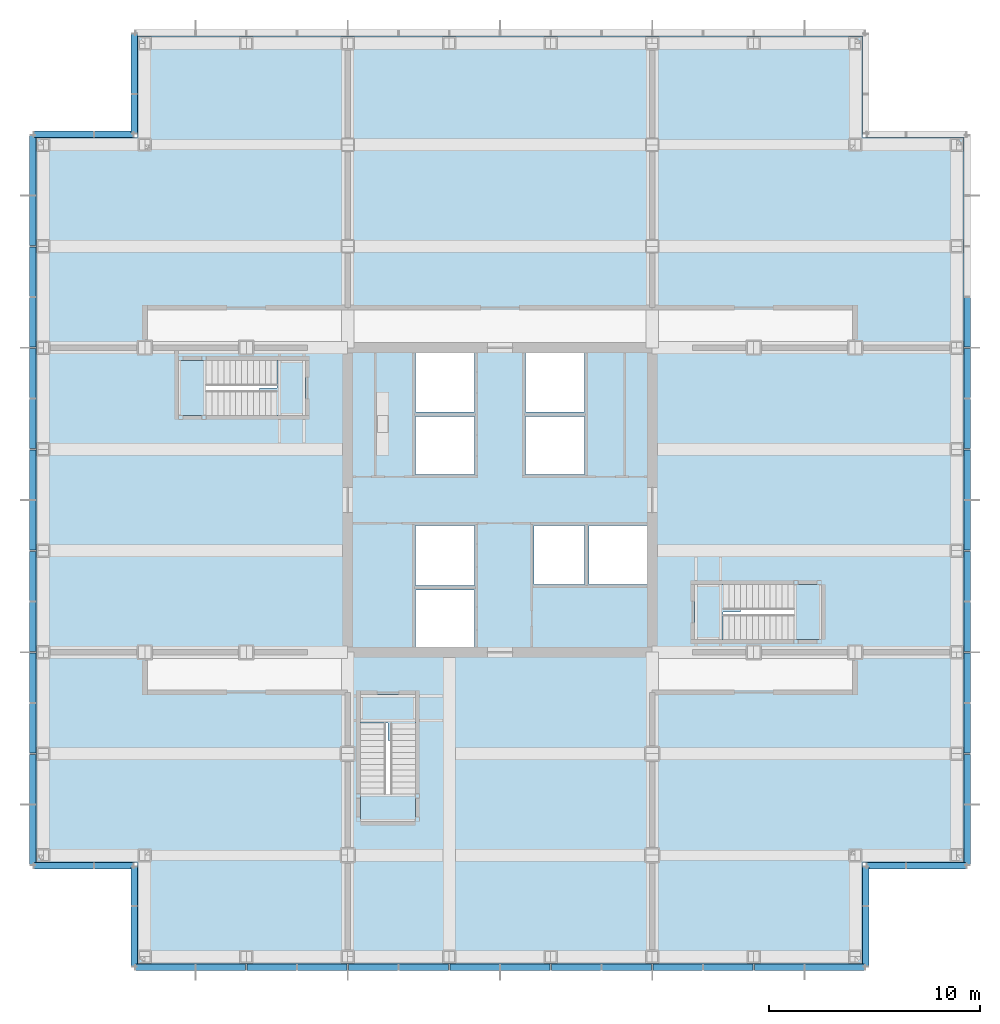
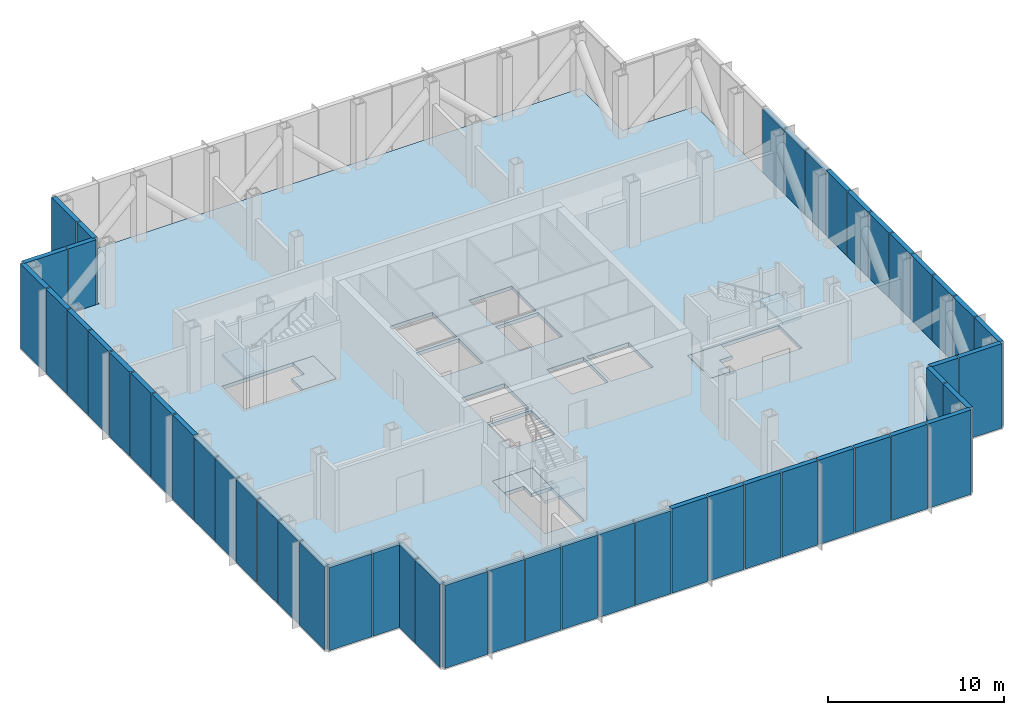
# One storey, part 12 of 18: 51 plates, 7 slabs, 12 elements without a shape of their own.
"""IFC4 building model written with IfcOpenShell, lengths in metres."""

from ifc_helpers import new_model, si_unit, direction, frame, origin, origin_2d, place, context, subcontext, project, spatial, polyline, rectangle, outline, extrude, material, layer, layer_set, type_object, element, aggregate, save


model = new_model("IFC4")

# Units and contexts
model_context = context("Model", 3, precision=1e-05, world=origin(), true_north=direction((0.0, 1.0)))
body_context = subcontext(model_context, "Body", "Model", "MODEL_VIEW")
ifc_project = project(units=[si_unit("LENGTHUNIT", "METRE"), si_unit("AREAUNIT", "SQUARE_METRE"), si_unit("VOLUMEUNIT", "CUBIC_METRE"), si_unit("PLANEANGLEUNIT", "RADIAN"), si_unit("MASSUNIT", "GRAM", prefix="KILO")], contexts=[model_context])

# Site, building, storey
site_placement = place(None, origin())
site = spatial("IfcSite", under=ifc_project, at=site_placement, CompositionType="ELEMENT")
building_placement = place(site_placement, origin())
building = spatial("IfcBuilding", under=site, at=building_placement, Name="Kvirike Care Tower", CompositionType="ELEMENT")
storey_placement = place(building_placement, frame((0.0, 0.0, 79.5)))
storey = spatial("IfcBuildingStorey", under=building, at=storey_placement, Name="L21", CompositionType="ELEMENT", Elevation=79.5)

# Curtain wall, plates
ifc_material_1 = material(Name="Anodised aluminium stick system", Category="aluminium")
curtain_wall_type = type_object("IfcCurtainWallType", Name="CW-L LOUVRED PLANT SCREEN", PredefinedType="NOTDEFINED", material=ifc_material_1)
curtain_wall_1_placement = place(storey_placement, origin())
curtain_wall_1 = element("IfcCurtainWall", 1, at=curtain_wall_1_placement, inside=storey, type_object=curtain_wall_type, Name="Curtain wall L21 face 1", PredefinedType="NOTDEFINED")
ifc_material_2 = material(Name="Bronze anodised aluminium louvre", Category="aluminium")
ifc_layer_1 = layer(ifc_material_2, 0.300048828125)
ifc_layer_set_1 = layer_set([ifc_layer_1], Name="BRONZE LOUVRE PANEL")
plate_type = type_object("IfcPlateType", Name="BRONZE LOUVRE PANEL", PredefinedType="CURTAIN_PANEL", material=ifc_layer_set_1)
plate_1_placement = place(storey_placement, frame((-0.5, 51.833740234375, -1.35009765625), z_axis=(0.0, 0.0, 1.0), x_axis=(0.0, -1.0, 0.0)))
plate_1 = element("IfcPlate", 2, at=plate_1_placement, type_object=plate_type, Name="CW-L panel L21 face 1.1", PredefinedType="CURTAIN_PANEL", context=body_context, shape_type="SweptSolid", body=[
    extrude(rectangle(XDim=2.802490234375, YDim=0.300048828125, at=origin_2d()), origin(), (0.0, 0.0, 1.0), 5.85009765625),
])
plate_2_placement = place(storey_placement, frame((-0.5, 49.199951171875, -1.35009765625), z_axis=(0.0, 0.0, 1.0), x_axis=(0.0, -1.0, 0.0)))
plate_2 = element("IfcPlate", 3, at=plate_2_placement, type_object=plate_type, Name="CW-L panel L21 face 1.2", PredefinedType="CURTAIN_PANEL", context=body_context, shape_type="SweptSolid", body=[
    extrude(rectangle(XDim=2.3349609375, YDim=0.300048828125, at=origin_2d()), origin(), (0.0, 0.0, 1.0), 5.85009765625),
])
plate_3_placement = place(storey_placement, frame((-0.5, 46.800048828125, -1.35009765625), z_axis=(0.0, 0.0, 1.0), x_axis=(0.0, -1.0, 0.0)))
plate_3 = element("IfcPlate", 4, at=plate_3_placement, type_object=plate_type, Name="CW-L panel L21 face 1.3", PredefinedType="CURTAIN_PANEL", context=body_context, shape_type="SweptSolid", body=[
    extrude(rectangle(XDim=2.3349609375, YDim=0.300048828125, at=origin_2d()), origin(), (0.0, 0.0, 1.0), 5.85009765625),
])
plate_4_placement = place(storey_placement, frame((-0.5, 44.39990234375, -1.35009765625), z_axis=(0.0, 0.0, 1.0), x_axis=(0.0, -1.0, 0.0)))
plate_4 = element("IfcPlate", 5, at=plate_4_placement, type_object=plate_type, Name="CW-L panel L21 face 1.4", PredefinedType="CURTAIN_PANEL", context=body_context, shape_type="SweptSolid", body=[
    extrude(rectangle(XDim=2.3349609375, YDim=0.300048828125, at=origin_2d()), origin(), (0.0, 0.0, 1.0), 5.85009765625),
])
plate_5_placement = place(storey_placement, frame((-0.5, 42.0, -1.35009765625), z_axis=(0.0, 0.0, 1.0), x_axis=(0.0, -1.0, 0.0)))
plate_5 = element("IfcPlate", 6, at=plate_5_placement, type_object=plate_type, Name="CW-L panel L21 face 1.5", PredefinedType="CURTAIN_PANEL", context=body_context, shape_type="SweptSolid", body=[
    extrude(rectangle(XDim=2.3349609375, YDim=0.300048828125, at=origin_2d()), origin(), (0.0, 0.0, 1.0), 5.85009765625),
])
plate_6_placement = place(storey_placement, frame((-0.5, 39.60009765625, -1.35009765625), z_axis=(0.0, 0.0, 1.0), x_axis=(0.0, -1.0, 0.0)))
plate_6 = element("IfcPlate", 7, at=plate_6_placement, type_object=plate_type, Name="CW-L panel L21 face 1.6", PredefinedType="CURTAIN_PANEL", context=body_context, shape_type="SweptSolid", body=[
    extrude(rectangle(XDim=2.3349609375, YDim=0.300048828125, at=origin_2d()), origin(), (0.0, 0.0, 1.0), 5.85009765625),
])
plate_7_placement = place(storey_placement, frame((-0.5, 37.199951171875, -1.35009765625), z_axis=(0.0, 0.0, 1.0), x_axis=(0.0, -1.0, 0.0)))
plate_7 = element("IfcPlate", 8, at=plate_7_placement, type_object=plate_type, Name="CW-L panel L21 face 1.7", PredefinedType="CURTAIN_PANEL", context=body_context, shape_type="SweptSolid", body=[
    extrude(rectangle(XDim=2.3349609375, YDim=0.300048828125, at=origin_2d()), origin(), (0.0, 0.0, 1.0), 5.85009765625),
])
plate_8_placement = place(storey_placement, frame((-0.5, 34.800048828125, -1.35009765625), z_axis=(0.0, 0.0, 1.0), x_axis=(0.0, -1.0, 0.0)))
plate_8 = element("IfcPlate", 9, at=plate_8_placement, type_object=plate_type, Name="CW-L panel L21 face 1.8", PredefinedType="CURTAIN_PANEL", context=body_context, shape_type="SweptSolid", body=[
    extrude(rectangle(XDim=2.3349609375, YDim=0.300048828125, at=origin_2d()), origin(), (0.0, 0.0, 1.0), 5.85009765625),
])
plate_9_placement = place(storey_placement, frame((-0.5, 32.39990234375, -1.35009765625), z_axis=(0.0, 0.0, 1.0), x_axis=(0.0, -1.0, 0.0)))
plate_9 = element("IfcPlate", 10, at=plate_9_placement, type_object=plate_type, Name="CW-L panel L21 face 1.9", PredefinedType="CURTAIN_PANEL", context=body_context, shape_type="SweptSolid", body=[
    extrude(rectangle(XDim=2.3349609375, YDim=0.300048828125, at=origin_2d()), origin(), (0.0, 0.0, 1.0), 5.75),
])
plate_10_placement = place(storey_placement, frame((-0.5, 30.0, -1.35009765625), z_axis=(0.0, 0.0, 1.0), x_axis=(0.0, -1.0, 0.0)))
plate_10 = element("IfcPlate", 11, at=plate_10_placement, type_object=plate_type, Name="CW-L panel L21 face 1.10", PredefinedType="CURTAIN_PANEL", context=body_context, shape_type="SweptSolid", body=[
    extrude(rectangle(XDim=2.3349609375, YDim=0.300048828125, at=origin_2d()), origin(), (0.0, 0.0, 1.0), 5.75),
])
plate_11_placement = place(storey_placement, frame((-0.5, 27.60009765625, -1.35009765625), z_axis=(0.0, 0.0, 1.0), x_axis=(0.0, -1.0, 0.0)))
plate_11 = element("IfcPlate", 12, at=plate_11_placement, type_object=plate_type, Name="CW-L panel L21 face 1.11", PredefinedType="CURTAIN_PANEL", context=body_context, shape_type="SweptSolid", body=[
    extrude(rectangle(XDim=2.3349609375, YDim=0.300048828125, at=origin_2d()), origin(), (0.0, 0.0, 1.0), 5.75),
])
plate_12_placement = place(storey_placement, frame((-0.5, 25.199951171875, -1.35009765625), z_axis=(0.0, 0.0, 1.0), x_axis=(0.0, -1.0, 0.0)))
plate_12 = element("IfcPlate", 13, at=plate_12_placement, type_object=plate_type, Name="CW-L panel L21 face 1.12", PredefinedType="CURTAIN_PANEL", context=body_context, shape_type="SweptSolid", body=[
    extrude(rectangle(XDim=2.3349609375, YDim=0.300048828125, at=origin_2d()), origin(), (0.0, 0.0, 1.0), 5.75),
])
plate_13_placement = place(storey_placement, frame((-0.5, 22.800048828125, -1.35009765625), z_axis=(0.0, 0.0, 1.0), x_axis=(0.0, -1.0, 0.0)))
plate_13 = element("IfcPlate", 14, at=plate_13_placement, type_object=plate_type, Name="CW-L panel L21 face 1.13", PredefinedType="CURTAIN_PANEL", context=body_context, shape_type="SweptSolid", body=[
    extrude(rectangle(XDim=2.3349609375, YDim=0.300048828125, at=origin_2d()), origin(), (0.0, 0.0, 1.0), 5.75),
])
plate_14_placement = place(storey_placement, frame((-0.5, 20.166259765625, -1.35009765625), z_axis=(0.0, 0.0, 1.0), x_axis=(0.0, -1.0, 0.0)))
plate_14 = element("IfcPlate", 15, at=plate_14_placement, type_object=plate_type, Name="CW-L panel L21 face 1.14", PredefinedType="CURTAIN_PANEL", context=body_context, shape_type="SweptSolid", body=[
    extrude(rectangle(XDim=2.802490234375, YDim=0.300048828125, at=origin_2d()), origin(), (0.0, 0.0, 1.0), 5.75),
])
aggregate(curtain_wall_1, [plate_1, plate_2, plate_3, plate_4, plate_5, plate_6, plate_7, plate_8, plate_9, plate_10, plate_11, plate_12, plate_13, plate_14])

curtain_wall_2_placement = place(storey_placement, origin())
curtain_wall_2 = element("IfcCurtainWall", 16, at=curtain_wall_2_placement, inside=storey, type_object=curtain_wall_type, Name="Curtain wall L21 face 2", PredefinedType="NOTDEFINED")
plate_15_placement = place(storey_placement, frame((0.96630859375, 18.699951171875, -1.35009765625), z_axis=(0.0, 0.0, 1.0), x_axis=(1.0, 0.0, 0.0)))
plate_15 = element("IfcPlate", 17, at=plate_15_placement, type_object=plate_type, Name="CW-L panel L21 face 2.1", PredefinedType="CURTAIN_PANEL", context=body_context, shape_type="SweptSolid", body=[
    extrude(rectangle(XDim=2.802490234375, YDim=0.300048828125, at=origin_2d()), origin(), (0.0, 0.0, 1.0), 5.75),
])
plate_16_placement = place(storey_placement, frame((3.333740234375, 18.699951171875, -1.35009765625), z_axis=(0.0, 0.0, 1.0), x_axis=(1.0, 0.0, 0.0)))
plate_16 = element("IfcPlate", 18, at=plate_16_placement, type_object=plate_type, Name="CW-L panel L21 face 2.2", PredefinedType="CURTAIN_PANEL", context=body_context, shape_type="SweptSolid", body=[
    extrude(rectangle(XDim=1.802490234375, YDim=0.300048828125, at=origin_2d()), origin(), (0.0, 0.0, 1.0), 5.75),
])
aggregate(curtain_wall_2, [plate_15, plate_16])

curtain_wall_3_placement = place(storey_placement, origin())
curtain_wall_3 = element("IfcCurtainWall", 19, at=curtain_wall_3_placement, inside=storey, type_object=curtain_wall_type, Name="Curtain wall L21 face 3", PredefinedType="NOTDEFINED")
plate_17_placement = place(storey_placement, frame((4.300048828125, 17.733642578125, -1.35009765625), z_axis=(0.0, 0.0, 1.0), x_axis=(0.0, -1.0, 0.0)))
plate_17 = element("IfcPlate", 20, at=plate_17_placement, type_object=plate_type, Name="CW-L panel L21 face 3.1", PredefinedType="CURTAIN_PANEL", context=body_context, shape_type="SweptSolid", body=[
    extrude(rectangle(XDim=1.802490234375, YDim=0.300048828125, at=origin_2d()), origin(), (0.0, 0.0, 1.0), 5.75),
])
plate_18_placement = place(storey_placement, frame((4.300048828125, 15.3662109375, -1.35009765625), z_axis=(0.0, 0.0, 1.0), x_axis=(0.0, -1.0, 0.0)))
plate_18 = element("IfcPlate", 21, at=plate_18_placement, type_object=plate_type, Name="CW-L panel L21 face 3.2", PredefinedType="CURTAIN_PANEL", context=body_context, shape_type="SweptSolid", body=[
    extrude(rectangle(XDim=2.802490234375, YDim=0.300048828125, at=origin_2d()), origin(), (0.0, 0.0, 1.0), 5.75),
])
aggregate(curtain_wall_3, [plate_17, plate_18])

curtain_wall_4_placement = place(storey_placement, origin())
curtain_wall_4 = element("IfcCurtainWall", 22, at=curtain_wall_4_placement, inside=storey, type_object=curtain_wall_type, Name="Curtain wall L21 face 4", PredefinedType="NOTDEFINED")
plate_19_placement = place(storey_placement, frame((5.766357421875, 13.89990234375, -1.35009765625), z_axis=(0.0, 0.0, 1.0), x_axis=(1.0, 0.0, 0.0)))
plate_19 = element("IfcPlate", 23, at=plate_19_placement, type_object=plate_type, Name="CW-L panel L21 face 4.1", PredefinedType="CURTAIN_PANEL", context=body_context, shape_type="SweptSolid", body=[
    extrude(rectangle(XDim=2.802490234375, YDim=0.300048828125, at=origin_2d()), origin(), (0.0, 0.0, 1.0), 5.75),
])
plate_20_placement = place(storey_placement, frame((8.39990234375, 13.89990234375, -1.35009765625), z_axis=(0.0, 0.0, 1.0), x_axis=(1.0, 0.0, 0.0)))
plate_20 = element("IfcPlate", 24, at=plate_20_placement, type_object=plate_type, Name="CW-L panel L21 face 4.2", PredefinedType="CURTAIN_PANEL", context=body_context, shape_type="SweptSolid", body=[
    extrude(rectangle(XDim=2.3349609375, YDim=0.300048828125, at=origin_2d()), origin(), (0.0, 0.0, 1.0), 5.75),
])
plate_21_placement = place(storey_placement, frame((10.800048828125, 13.89990234375, -1.35009765625), z_axis=(0.0, 0.0, 1.0), x_axis=(1.0, 0.0, 0.0)))
plate_21 = element("IfcPlate", 25, at=plate_21_placement, type_object=plate_type, Name="CW-L panel L21 face 4.3", PredefinedType="CURTAIN_PANEL", context=body_context, shape_type="SweptSolid", body=[
    extrude(rectangle(XDim=2.3349609375, YDim=0.300048828125, at=origin_2d()), origin(), (0.0, 0.0, 1.0), 5.75),
])
plate_22_placement = place(storey_placement, frame((13.199951171875, 13.89990234375, -1.35009765625), z_axis=(0.0, 0.0, 1.0), x_axis=(1.0, 0.0, 0.0)))
plate_22 = element("IfcPlate", 26, at=plate_22_placement, type_object=plate_type, Name="CW-L panel L21 face 4.4", PredefinedType="CURTAIN_PANEL", context=body_context, shape_type="SweptSolid", body=[
    extrude(rectangle(XDim=2.3349609375, YDim=0.300048828125, at=origin_2d()), origin(), (0.0, 0.0, 1.0), 5.75),
])
plate_23_placement = place(storey_placement, frame((15.60009765625, 13.89990234375, -1.35009765625), z_axis=(0.0, 0.0, 1.0), x_axis=(1.0, 0.0, 0.0)))
plate_23 = element("IfcPlate", 27, at=plate_23_placement, type_object=plate_type, Name="CW-L panel L21 face 4.5", PredefinedType="CURTAIN_PANEL", context=body_context, shape_type="SweptSolid", body=[
    extrude(rectangle(XDim=2.3349609375, YDim=0.300048828125, at=origin_2d()), origin(), (0.0, 0.0, 1.0), 5.75),
])
plate_24_placement = place(storey_placement, frame((18.0, 13.89990234375, -1.35009765625), z_axis=(0.0, 0.0, 1.0), x_axis=(1.0, 0.0, 0.0)))
plate_24 = element("IfcPlate", 28, at=plate_24_placement, type_object=plate_type, Name="CW-L panel L21 face 4.6", PredefinedType="CURTAIN_PANEL", context=body_context, shape_type="SweptSolid", body=[
    extrude(rectangle(XDim=2.3349609375, YDim=0.300048828125, at=origin_2d()), origin(), (0.0, 0.0, 1.0), 5.75),
])
plate_25_placement = place(storey_placement, frame((20.39990234375, 13.89990234375, -1.35009765625), z_axis=(0.0, 0.0, 1.0), x_axis=(1.0, 0.0, 0.0)))
plate_25 = element("IfcPlate", 29, at=plate_25_placement, type_object=plate_type, Name="CW-L panel L21 face 4.7", PredefinedType="CURTAIN_PANEL", context=body_context, shape_type="SweptSolid", body=[
    extrude(rectangle(XDim=2.3349609375, YDim=0.300048828125, at=origin_2d()), origin(), (0.0, 0.0, 1.0), 5.85009765625),
])
plate_26_placement = place(storey_placement, frame((22.800048828125, 13.89990234375, -1.35009765625), z_axis=(0.0, 0.0, 1.0), x_axis=(1.0, 0.0, 0.0)))
plate_26 = element("IfcPlate", 30, at=plate_26_placement, type_object=plate_type, Name="CW-L panel L21 face 4.8", PredefinedType="CURTAIN_PANEL", context=body_context, shape_type="SweptSolid", body=[
    extrude(rectangle(XDim=2.3349609375, YDim=0.300048828125, at=origin_2d()), origin(), (0.0, 0.0, 1.0), 5.85009765625),
])
plate_27_placement = place(storey_placement, frame((25.199951171875, 13.89990234375, -1.35009765625), z_axis=(0.0, 0.0, 1.0), x_axis=(1.0, 0.0, 0.0)))
plate_27 = element("IfcPlate", 31, at=plate_27_placement, type_object=plate_type, Name="CW-L panel L21 face 4.9", PredefinedType="CURTAIN_PANEL", context=body_context, shape_type="SweptSolid", body=[
    extrude(rectangle(XDim=2.3349609375, YDim=0.300048828125, at=origin_2d()), origin(), (0.0, 0.0, 1.0), 5.85009765625),
])
plate_28_placement = place(storey_placement, frame((27.60009765625, 13.89990234375, -1.35009765625), z_axis=(0.0, 0.0, 1.0), x_axis=(1.0, 0.0, 0.0)))
plate_28 = element("IfcPlate", 32, at=plate_28_placement, type_object=plate_type, Name="CW-L panel L21 face 4.10", PredefinedType="CURTAIN_PANEL", context=body_context, shape_type="SweptSolid", body=[
    extrude(rectangle(XDim=2.3349609375, YDim=0.300048828125, at=origin_2d()), origin(), (0.0, 0.0, 1.0), 5.85009765625),
])
plate_29_placement = place(storey_placement, frame((30.0, 13.89990234375, -1.35009765625), z_axis=(0.0, 0.0, 1.0), x_axis=(1.0, 0.0, 0.0)))
plate_29 = element("IfcPlate", 33, at=plate_29_placement, type_object=plate_type, Name="CW-L panel L21 face 4.11", PredefinedType="CURTAIN_PANEL", context=body_context, shape_type="SweptSolid", body=[
    extrude(rectangle(XDim=2.3349609375, YDim=0.300048828125, at=origin_2d()), origin(), (0.0, 0.0, 1.0), 5.85009765625),
])
plate_30_placement = place(storey_placement, frame((32.39990234375, 13.89990234375, -1.35009765625), z_axis=(0.0, 0.0, 1.0), x_axis=(1.0, 0.0, 0.0)))
plate_30 = element("IfcPlate", 34, at=plate_30_placement, type_object=plate_type, Name="CW-L panel L21 face 4.12", PredefinedType="CURTAIN_PANEL", context=body_context, shape_type="SweptSolid", body=[
    extrude(rectangle(XDim=2.3349609375, YDim=0.300048828125, at=origin_2d()), origin(), (0.0, 0.0, 1.0), 5.85009765625),
])
plate_31_placement = place(storey_placement, frame((34.800048828125, 13.89990234375, -1.35009765625), z_axis=(0.0, 0.0, 1.0), x_axis=(1.0, 0.0, 0.0)))
plate_31 = element("IfcPlate", 35, at=plate_31_placement, type_object=plate_type, Name="CW-L panel L21 face 4.13", PredefinedType="CURTAIN_PANEL", context=body_context, shape_type="SweptSolid", body=[
    extrude(rectangle(XDim=2.3349609375, YDim=0.300048828125, at=origin_2d()), origin(), (0.0, 0.0, 1.0), 5.85009765625),
])
plate_32_placement = place(storey_placement, frame((37.433837890625, 13.89990234375, -1.35009765625), z_axis=(0.0, 0.0, 1.0), x_axis=(1.0, 0.0, 0.0)))
plate_32 = element("IfcPlate", 36, at=plate_32_placement, type_object=plate_type, Name="CW-L panel L21 face 4.14", PredefinedType="CURTAIN_PANEL", context=body_context, shape_type="SweptSolid", body=[
    extrude(rectangle(XDim=2.802490234375, YDim=0.300048828125, at=origin_2d()), origin(), (0.0, 0.0, 1.0), 5.85009765625),
])
aggregate(curtain_wall_4, [plate_19, plate_20, plate_21, plate_22, plate_23, plate_24, plate_25, plate_26, plate_27, plate_28, plate_29, plate_30, plate_31, plate_32])

curtain_wall_5_placement = place(storey_placement, origin())
curtain_wall_5 = element("IfcCurtainWall", 37, at=curtain_wall_5_placement, inside=storey, type_object=curtain_wall_type, Name="Curtain wall L21 face 5", PredefinedType="NOTDEFINED")
plate_33_placement = place(storey_placement, frame((38.89990234375, 15.3662109375, -1.35009765625), z_axis=(0.0, 0.0, 1.0), x_axis=(0.0, 1.0, 0.0)))
plate_33 = element("IfcPlate", 38, at=plate_33_placement, type_object=plate_type, Name="CW-L panel L21 face 5.1", PredefinedType="CURTAIN_PANEL", context=body_context, shape_type="SweptSolid", body=[
    extrude(rectangle(XDim=2.802490234375, YDim=0.300048828125, at=origin_2d()), origin(), (0.0, 0.0, 1.0), 5.85009765625),
])
plate_34_placement = place(storey_placement, frame((38.89990234375, 17.733642578125, -1.35009765625), z_axis=(0.0, 0.0, 1.0), x_axis=(0.0, 1.0, 0.0)))
plate_34 = element("IfcPlate", 39, at=plate_34_placement, type_object=plate_type, Name="CW-L panel L21 face 5.2", PredefinedType="CURTAIN_PANEL", context=body_context, shape_type="SweptSolid", body=[
    extrude(rectangle(XDim=1.802490234375, YDim=0.300048828125, at=origin_2d()), origin(), (0.0, 0.0, 1.0), 5.85009765625),
])
aggregate(curtain_wall_5, [plate_33, plate_34])

curtain_wall_6_placement = place(storey_placement, origin())
curtain_wall_6 = element("IfcCurtainWall", 40, at=curtain_wall_6_placement, inside=storey, type_object=curtain_wall_type, Name="Curtain wall L21 face 6", PredefinedType="NOTDEFINED")
plate_35_placement = place(storey_placement, frame((39.8662109375, 18.699951171875, -1.35009765625), z_axis=(0.0, 0.0, 1.0), x_axis=(1.0, 0.0, 0.0)))
plate_35 = element("IfcPlate", 41, at=plate_35_placement, type_object=plate_type, Name="CW-L panel L21 face 6.1", PredefinedType="CURTAIN_PANEL", context=body_context, shape_type="SweptSolid", body=[
    extrude(rectangle(XDim=1.802490234375, YDim=0.300048828125, at=origin_2d()), origin(), (0.0, 0.0, 1.0), 5.85009765625),
])
plate_36_placement = place(storey_placement, frame((42.233642578125, 18.699951171875, -1.35009765625), z_axis=(0.0, 0.0, 1.0), x_axis=(1.0, 0.0, 0.0)))
plate_36 = element("IfcPlate", 42, at=plate_36_placement, type_object=plate_type, Name="CW-L panel L21 face 6.2", PredefinedType="CURTAIN_PANEL", context=body_context, shape_type="SweptSolid", body=[
    extrude(rectangle(XDim=2.802490234375, YDim=0.300048828125, at=origin_2d()), origin(), (0.0, 0.0, 1.0), 5.85009765625),
])
aggregate(curtain_wall_6, [plate_35, plate_36])

curtain_wall_7_placement = place(storey_placement, origin())
curtain_wall_7 = element("IfcCurtainWall", 43, at=curtain_wall_7_placement, inside=storey, type_object=curtain_wall_type, Name="Curtain wall L21 face 7", PredefinedType="NOTDEFINED")
plate_37_placement = place(storey_placement, frame((43.699951171875, 20.166259765625, -1.35009765625), z_axis=(0.0, 0.0, 1.0), x_axis=(0.0, 1.0, 0.0)))
plate_37 = element("IfcPlate", 44, at=plate_37_placement, type_object=plate_type, Name="CW-L panel L21 face 7.1", PredefinedType="CURTAIN_PANEL", context=body_context, shape_type="SweptSolid", body=[
    extrude(rectangle(XDim=2.802490234375, YDim=0.300048828125, at=origin_2d()), origin(), (0.0, 0.0, 1.0), 5.85009765625),
])
plate_38_placement = place(storey_placement, frame((43.699951171875, 22.800048828125, -1.35009765625), z_axis=(0.0, 0.0, 1.0), x_axis=(0.0, 1.0, 0.0)))
plate_38 = element("IfcPlate", 45, at=plate_38_placement, type_object=plate_type, Name="CW-L panel L21 face 7.2", PredefinedType="CURTAIN_PANEL", context=body_context, shape_type="SweptSolid", body=[
    extrude(rectangle(XDim=2.3349609375, YDim=0.300048828125, at=origin_2d()), origin(), (0.0, 0.0, 1.0), 5.85009765625),
])
plate_39_placement = place(storey_placement, frame((43.699951171875, 25.199951171875, -1.35009765625), z_axis=(0.0, 0.0, 1.0), x_axis=(0.0, 1.0, 0.0)))
plate_39 = element("IfcPlate", 46, at=plate_39_placement, type_object=plate_type, Name="CW-L panel L21 face 7.3", PredefinedType="CURTAIN_PANEL", context=body_context, shape_type="SweptSolid", body=[
    extrude(rectangle(XDim=2.3349609375, YDim=0.300048828125, at=origin_2d()), origin(), (0.0, 0.0, 1.0), 5.85009765625),
])
plate_40_placement = place(storey_placement, frame((43.699951171875, 27.60009765625, -1.35009765625), z_axis=(0.0, 0.0, 1.0), x_axis=(0.0, 1.0, 0.0)))
plate_40 = element("IfcPlate", 47, at=plate_40_placement, type_object=plate_type, Name="CW-L panel L21 face 7.4", PredefinedType="CURTAIN_PANEL", context=body_context, shape_type="SweptSolid", body=[
    extrude(rectangle(XDim=2.3349609375, YDim=0.300048828125, at=origin_2d()), origin(), (0.0, 0.0, 1.0), 5.85009765625),
])
plate_41_placement = place(storey_placement, frame((43.699951171875, 30.0, -1.35009765625), z_axis=(0.0, 0.0, 1.0), x_axis=(0.0, 1.0, 0.0)))
plate_41 = element("IfcPlate", 48, at=plate_41_placement, type_object=plate_type, Name="CW-L panel L21 face 7.5", PredefinedType="CURTAIN_PANEL", context=body_context, shape_type="SweptSolid", body=[
    extrude(rectangle(XDim=2.3349609375, YDim=0.300048828125, at=origin_2d()), origin(), (0.0, 0.0, 1.0), 5.85009765625),
])
plate_42_placement = place(storey_placement, frame((43.699951171875, 32.39990234375, -1.35009765625), z_axis=(0.0, 0.0, 1.0), x_axis=(0.0, 1.0, 0.0)))
plate_42 = element("IfcPlate", 49, at=plate_42_placement, type_object=plate_type, Name="CW-L panel L21 face 7.6", PredefinedType="CURTAIN_PANEL", context=body_context, shape_type="SweptSolid", body=[
    extrude(rectangle(XDim=2.3349609375, YDim=0.300048828125, at=origin_2d()), origin(), (0.0, 0.0, 1.0), 5.85009765625),
])
plate_43_placement = place(storey_placement, frame((43.699951171875, 34.800048828125, -1.35009765625), z_axis=(0.0, 0.0, 1.0), x_axis=(0.0, 1.0, 0.0)))
plate_43 = element("IfcPlate", 50, at=plate_43_placement, type_object=plate_type, Name="CW-L panel L21 face 7.7", PredefinedType="CURTAIN_PANEL", context=body_context, shape_type="SweptSolid", body=[
    extrude(rectangle(XDim=2.3349609375, YDim=0.300048828125, at=origin_2d()), origin(), (0.0, 0.0, 1.0), 5.85009765625),
])
plate_44_placement = place(storey_placement, frame((43.699951171875, 37.199951171875, -1.35009765625), z_axis=(0.0, 0.0, 1.0), x_axis=(0.0, 1.0, 0.0)))
plate_44 = element("IfcPlate", 51, at=plate_44_placement, type_object=plate_type, Name="CW-L panel L21 face 7.8", PredefinedType="CURTAIN_PANEL", context=body_context, shape_type="SweptSolid", body=[
    extrude(rectangle(XDim=2.3349609375, YDim=0.300048828125, at=origin_2d()), origin(), (0.0, 0.0, 1.0), 5.85009765625),
])
plate_45_placement = place(storey_placement, frame((43.699951171875, 39.60009765625, -1.35009765625), z_axis=(0.0, 0.0, 1.0), x_axis=(0.0, 1.0, 0.0)))
plate_45 = element("IfcPlate", 52, at=plate_45_placement, type_object=plate_type, Name="CW-L panel L21 face 7.9", PredefinedType="CURTAIN_PANEL", context=body_context, shape_type="SweptSolid", body=[
    extrude(rectangle(XDim=2.3349609375, YDim=0.300048828125, at=origin_2d()), origin(), (0.0, 0.0, 1.0), 5.75),
])
plate_46_placement = place(storey_placement, frame((43.699951171875, 42.0, -1.35009765625), z_axis=(0.0, 0.0, 1.0), x_axis=(0.0, 1.0, 0.0)))
plate_46 = element("IfcPlate", 53, at=plate_46_placement, type_object=plate_type, Name="CW-L panel L21 face 7.10", PredefinedType="CURTAIN_PANEL", context=body_context, shape_type="SweptSolid", body=[
    extrude(rectangle(XDim=2.3349609375, YDim=0.300048828125, at=origin_2d()), origin(), (0.0, 0.0, 1.0), 5.75),
])
plate_47_placement = place(storey_placement, frame((43.699951171875, 44.39990234375, -1.35009765625), z_axis=(0.0, 0.0, 1.0), x_axis=(0.0, 1.0, 0.0)))
plate_47 = element("IfcPlate", 54, at=plate_47_placement, type_object=plate_type, Name="CW-L panel L21 face 7.11", PredefinedType="CURTAIN_PANEL", context=body_context, shape_type="SweptSolid", body=[
    extrude(rectangle(XDim=2.3349609375, YDim=0.300048828125, at=origin_2d()), origin(), (0.0, 0.0, 1.0), 5.75),
])
aggregate(curtain_wall_7, [plate_37, plate_38, plate_39, plate_40, plate_41, plate_42, plate_43, plate_44, plate_45, plate_46, plate_47])

curtain_wall_8_placement = place(storey_placement, origin())
curtain_wall_8 = element("IfcCurtainWall", 55, at=curtain_wall_8_placement, inside=storey, type_object=curtain_wall_type, Name="Curtain wall L21 face 11", PredefinedType="NOTDEFINED")
plate_48_placement = place(storey_placement, frame((4.300048828125, 56.6337890625, -1.35009765625), z_axis=(0.0, 0.0, 1.0), x_axis=(0.0, -1.0, 0.0)))
plate_48 = element("IfcPlate", 56, at=plate_48_placement, type_object=plate_type, Name="CW-L panel L21 face 11.1", PredefinedType="CURTAIN_PANEL", context=body_context, shape_type="SweptSolid", body=[
    extrude(rectangle(XDim=2.802490234375, YDim=0.300048828125, at=origin_2d()), origin(), (0.0, 0.0, 1.0), 5.85009765625),
])
plate_49_placement = place(storey_placement, frame((4.300048828125, 54.266357421875, -1.35009765625), z_axis=(0.0, 0.0, 1.0), x_axis=(0.0, -1.0, 0.0)))
plate_49 = element("IfcPlate", 57, at=plate_49_placement, type_object=plate_type, Name="CW-L panel L21 face 11.2", PredefinedType="CURTAIN_PANEL", context=body_context, shape_type="SweptSolid", body=[
    extrude(rectangle(XDim=1.802490234375, YDim=0.300048828125, at=origin_2d()), origin(), (0.0, 0.0, 1.0), 5.85009765625),
])
aggregate(curtain_wall_8, [plate_48, plate_49])

curtain_wall_9_placement = place(storey_placement, origin())
curtain_wall_9 = element("IfcCurtainWall", 58, at=curtain_wall_9_placement, inside=storey, type_object=curtain_wall_type, Name="Curtain wall L21 face 12", PredefinedType="NOTDEFINED")
plate_50_placement = place(storey_placement, frame((3.333740234375, 53.300048828125, -1.35009765625), z_axis=(0.0, 0.0, 1.0), x_axis=(-1.0, 0.0, 0.0)))
plate_50 = element("IfcPlate", 59, at=plate_50_placement, type_object=plate_type, Name="CW-L panel L21 face 12.1", PredefinedType="CURTAIN_PANEL", context=body_context, shape_type="SweptSolid", body=[
    extrude(rectangle(XDim=1.802490234375, YDim=0.300048828125, at=origin_2d()), origin(), (0.0, 0.0, 1.0), 5.85009765625),
])
plate_51_placement = place(storey_placement, frame((0.96630859375, 53.300048828125, -1.35009765625), z_axis=(0.0, 0.0, 1.0), x_axis=(-1.0, 0.0, 0.0)))
plate_51 = element("IfcPlate", 60, at=plate_51_placement, type_object=plate_type, Name="CW-L panel L21 face 12.2", PredefinedType="CURTAIN_PANEL", context=body_context, shape_type="SweptSolid", body=[
    extrude(rectangle(XDim=2.802490234375, YDim=0.300048828125, at=origin_2d()), origin(), (0.0, 0.0, 1.0), 5.85009765625),
])
aggregate(curtain_wall_9, [plate_50, plate_51])

# Slab
ifc_material_3 = material(Name="Concrete C35/45", Category="concrete")
ifc_layer_2 = layer(ifc_material_3, 0.25)
ifc_layer_set_2 = layer_set([ifc_layer_2], Name="PLANT FLOOR SLAB 250")
slab_type_1 = type_object("IfcSlabType", Name="PLANT FLOOR SLAB 250", PredefinedType="FLOOR", material=ifc_layer_set_2)
slab_1_placement = place(storey_placement, frame((0.0, 0.0, -0.25)))
element("IfcSlab", 61, at=slab_1_placement, inside=storey, type_object=slab_type_1, Name="Floor slab L21", PredefinedType="FLOOR", context=body_context, shape_type="SweptSolid", body=[
    extrude(outline(polyline([(-0.35009765625, 53.14990234375), (-0.35009765625, 18.85009765625), (4.449951171875, 18.85009765625), (4.449951171875, 14.050048828125), (38.75, 14.050048828125), (38.75, 18.85009765625), (43.550048828125, 18.85009765625), (43.550048828125, 53.14990234375), (38.75, 53.14990234375), (38.75, 57.949951171875), (4.449951171875, 57.949951171875), (4.449951171875, 53.14990234375), (-0.35009765625, 53.14990234375)]), holes=[polyline([(17.60009765625, 29.050048828125), (17.60009765625, 31.75), (20.39990234375, 31.75), (20.39990234375, 29.050048828125), (17.60009765625, 29.050048828125)]), polyline([(17.60009765625, 31.949951171875), (17.60009765625, 34.800048828125), (20.39990234375, 34.800048828125), (20.39990234375, 31.949951171875), (17.60009765625, 31.949951171875)]), polyline([(17.60009765625, 37.199951171875), (17.60009765625, 39.949951171875), (20.39990234375, 39.949951171875), (20.39990234375, 37.199951171875), (17.60009765625, 37.199951171875)]), polyline([(17.60009765625, 40.14990234375), (17.60009765625, 42.949951171875), (20.39990234375, 42.949951171875), (20.39990234375, 40.14990234375), (17.60009765625, 40.14990234375)]), polyline([(22.800048828125, 37.199951171875), (22.800048828125, 39.949951171875), (25.60009765625, 39.949951171875), (25.60009765625, 37.199951171875), (22.800048828125, 37.199951171875)]), polyline([(22.800048828125, 40.14990234375), (22.800048828125, 42.949951171875), (25.60009765625, 42.949951171875), (25.60009765625, 40.14990234375), (22.800048828125, 40.14990234375)]), polyline([(23.199951171875, 32.0), (23.199951171875, 34.800048828125), (25.60009765625, 34.800048828125), (25.60009765625, 32.0), (23.199951171875, 32.0)]), polyline([(25.800048828125, 32.0), (25.800048828125, 34.800048828125), (28.550048828125, 34.800048828125), (28.550048828125, 32.0), (25.800048828125, 32.0)]), polyline([(12.39990234375, 42.60009765625), (12.39990234375, 40.0), (6.39990234375, 40.0), (6.39990234375, 42.60009765625), (12.39990234375, 42.60009765625)]), polyline([(30.800048828125, 29.39990234375), (30.800048828125, 32.0), (36.800048828125, 32.0), (36.800048828125, 29.39990234375), (30.800048828125, 29.39990234375)]), polyline([(15.0, 26.800048828125), (17.60009765625, 26.800048828125), (17.60009765625, 20.800048828125), (15.0, 20.800048828125), (15.0, 26.800048828125)])]), origin(), (0.0, 0.0, 1.0), 0.25),
])

# Stair, slab
ifc_material_4 = material(Name="Concrete C35/45", Category="concrete")
stair_type = type_object("IfcStairType", Name="STAIR 26 RISERS", PredefinedType="HALF_TURN_STAIR", material=ifc_material_4)
stair_1_placement = place(storey_placement, origin())
stair_1 = element("IfcStair", 62, at=stair_1_placement, inside=storey, type_object=stair_type, Name="Stair 1 L21", PredefinedType="HALF_TURN_STAIR")
ifc_material_5 = material(Name="Concrete C35/45", Category="concrete")
ifc_layer_3 = layer(ifc_material_5, 0.199951171875)
ifc_layer_set_3 = layer_set([ifc_layer_3], Name="STAIR LANDING 200")
slab_type_2 = type_object("IfcSlabType", Name="STAIR LANDING 200", PredefinedType="LANDING", material=ifc_layer_set_3)
slab_2_placement = place(storey_placement, frame((0.0, 0.0, 2.050048828125)))
slab_2 = element("IfcSlab", 63, at=slab_2_placement, type_object=slab_type_2, Name="Stair S1 half landing L21-L22", PredefinedType="LANDING", context=body_context, shape_type="SweptSolid", body=[
    extrude(outline(polyline([(6.39990234375, 42.60009765625), (6.39990234375, 40.0), (7.699951171875, 40.0), (7.699951171875, 42.60009765625), (6.39990234375, 42.60009765625)])), origin(), (0.0, 0.0, 1.0), 0.199951171875),
])

stair_2_placement = place(storey_placement, origin())
stair_2 = element("IfcStair", 64, at=stair_2_placement, inside=storey, type_object=stair_type, Name="Stair 2 L21", PredefinedType="HALF_TURN_STAIR")
slab_3_placement = place(storey_placement, frame((0.0, 0.0, 2.050048828125)))
slab_3 = element("IfcSlab", 65, at=slab_3_placement, type_object=slab_type_2, Name="Stair S2 half landing L21-L22", PredefinedType="LANDING", context=body_context, shape_type="SweptSolid", body=[
    extrude(outline(polyline([(36.800048828125, 29.39990234375), (36.800048828125, 32.0), (35.5, 32.0), (35.5, 29.39990234375), (36.800048828125, 29.39990234375)])), origin(), (0.0, 0.0, 1.0), 0.199951171875),
])

stair_3_placement = place(storey_placement, origin())
stair_3 = element("IfcStair", 66, at=stair_3_placement, inside=storey, type_object=stair_type, Name="Stair 5 L21", PredefinedType="HALF_TURN_STAIR")
slab_4_placement = place(storey_placement, frame((0.0, 0.0, 2.050048828125)))
slab_4 = element("IfcSlab", 67, at=slab_4_placement, type_object=slab_type_2, Name="Stair S5 half landing L21-L22", PredefinedType="LANDING", context=body_context, shape_type="SweptSolid", body=[
    extrude(outline(polyline([(15.0, 20.800048828125), (17.60009765625, 20.800048828125), (17.60009765625, 22.10009765625), (15.0, 22.10009765625), (15.0, 20.800048828125)])), origin(), (0.0, 0.0, 1.0), 0.199951171875),
])

# Slab
ifc_material_6 = material(Name="Concrete C35/45", Category="concrete")
ifc_layer_4 = layer(ifc_material_6, 0.25)
ifc_layer_set_4 = layer_set([ifc_layer_4], Name="STAIR LANDING 250")
slab_type_3 = type_object("IfcSlabType", Name="STAIR LANDING 250", PredefinedType="LANDING", material=ifc_layer_set_4)
slab_5_placement = place(storey_placement, frame((0.0, 0.0, -0.25)))
slab_5 = element("IfcSlab", 68, at=slab_5_placement, type_object=slab_type_3, Name="Stair S1 floor landing L21", PredefinedType="LANDING", context=body_context, shape_type="SweptSolid", body=[
    extrude(outline(polyline([(11.06005859375, 42.60009765625), (11.06005859375, 41.300048828125), (10.219970703125, 41.300048828125), (10.219970703125, 40.0), (12.39990234375, 40.0), (12.39990234375, 42.60009765625), (11.06005859375, 42.60009765625)])), origin(), (0.0, 0.0, 1.0), 0.25),
])

aggregate(stair_1, [slab_5, slab_2])

slab_6_placement = place(storey_placement, frame((0.0, 0.0, -0.25)))
slab_6 = element("IfcSlab", 69, at=slab_6_placement, type_object=slab_type_3, Name="Stair S2 floor landing L21", PredefinedType="LANDING", context=body_context, shape_type="SweptSolid", body=[
    extrude(outline(polyline([(32.139892578125, 29.39990234375), (32.139892578125, 30.699951171875), (32.97998046875, 30.699951171875), (32.97998046875, 32.0), (30.800048828125, 32.0), (30.800048828125, 29.39990234375), (32.139892578125, 29.39990234375)])), origin(), (0.0, 0.0, 1.0), 0.25),
])

aggregate(stair_2, [slab_6, slab_3])

slab_7_placement = place(storey_placement, frame((0.0, 0.0, -0.25)))
slab_7 = element("IfcSlab", 70, at=slab_7_placement, type_object=slab_type_3, Name="Stair S5 floor landing L21", PredefinedType="LANDING", context=body_context, shape_type="SweptSolid", body=[
    extrude(outline(polyline([(15.0, 25.4599609375), (16.300048828125, 25.4599609375), (16.300048828125, 24.6201171875), (17.60009765625, 24.6201171875), (17.60009765625, 26.800048828125), (15.0, 26.800048828125), (15.0, 25.4599609375)])), origin(), (0.0, 0.0, 1.0), 0.25),
])

aggregate(stair_3, [slab_7, slab_4])

save(model, "model.ifc")
